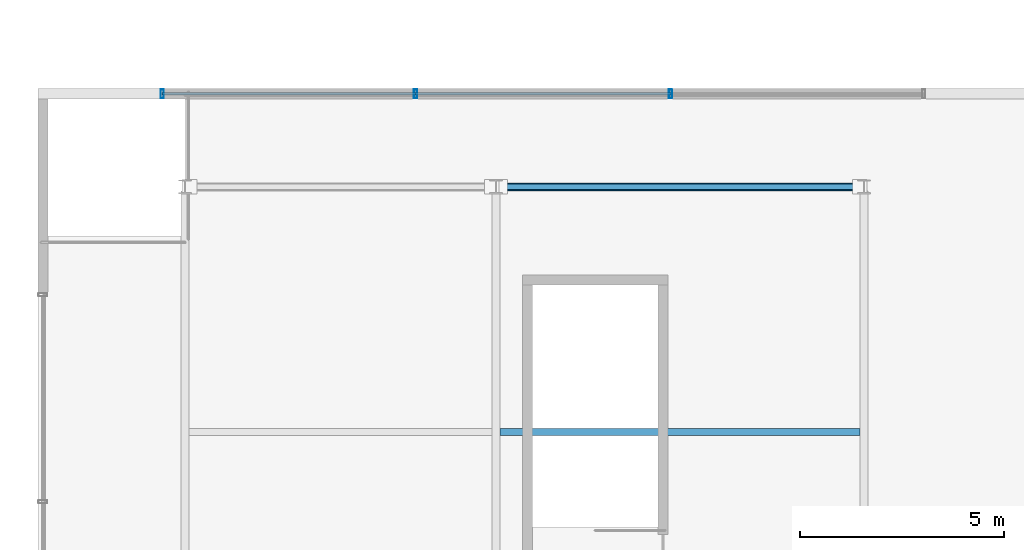
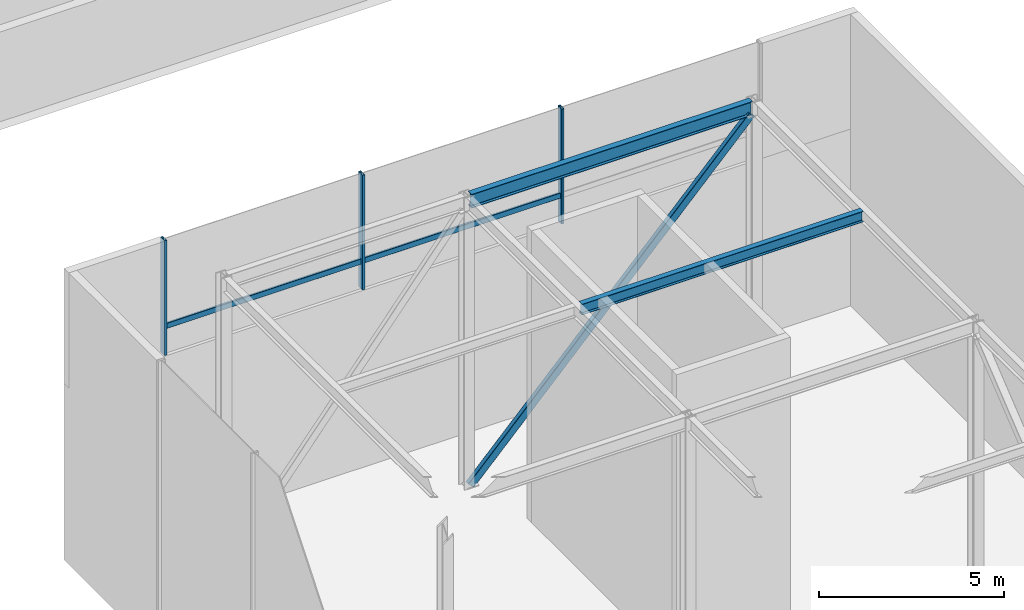
# One storey, part 15 of 42: 6 members, 2 beams, 1 element without a shape of its own.
"""IFC4 building model written with IfcOpenShell, lengths in metres."""

from ifc_helpers import new_model, si_unit, direction, frame, origin, origin_2d, place, context, subcontext, project, spatial, hollow_rectangle, i_section, extrude, material, layer, layer_set, material_profile, profile_set, type_object, element, aggregate, save


model = new_model("IFC4")

# Units and contexts
model_context = context("Model", 3, precision=1e-05, world=origin(), true_north=direction((0.0, 1.0)))
body_context = subcontext(model_context, "Body", "Model", "MODEL_VIEW")
ifc_project = project(units=[si_unit("LENGTHUNIT", "METRE"), si_unit("AREAUNIT", "SQUARE_METRE"), si_unit("VOLUMEUNIT", "CUBIC_METRE"), si_unit("PLANEANGLEUNIT", "RADIAN"), si_unit("MASSUNIT", "GRAM", prefix="KILO")], contexts=[model_context])

# Site, building, storey
site_placement = place(None, origin())
site = spatial("IfcSite", under=ifc_project, at=site_placement, CompositionType="ELEMENT")
building_placement = place(site_placement, origin())
building = spatial("IfcBuilding", under=site, at=building_placement, Name="Korimba Cascade Residences", CompositionType="ELEMENT")
storey_placement = place(building_placement, frame((0.0, 0.0, 207.60009765625)))
storey = spatial("IfcBuildingStorey", under=building, at=storey_placement, Name="L60", CompositionType="ELEMENT", Elevation=207.60009765625)

# Beams
ifc_material_1 = material(Name="Steel S355", Category="steel")
ifc_material_profile_1 = material_profile(ifc_material_1, i_section(OverallWidth=0.172119140625, OverallDepth=0.35791015625, WebThickness=0.008056640625, FlangeThickness=0.012939453125, FilletRadius=0.01025390625, at=origin_2d()), Name="Steel S355")
ifc_profile_set_1 = profile_set([ifc_material_profile_1], Name="Steel S355")
beam_type_1 = type_object("IfcBeamType", Name="BM-STL-UB356", PredefinedType="JOIST", material=ifc_profile_set_1)
beam_1_placement = place(storey_placement, frame((82.199951171875, 24.39990234375, 9.470947265625), z_axis=(1.0, 0.0, 0.0), x_axis=(0.0, 1.0, 0.0)))
element("IfcBeam", 1, at=beam_1_placement, inside=storey, type_object=beam_type_1, Name="L60 Crown Cap Joist W3.2", PredefinedType="JOIST", context=body_context, shape_type="SweptSolid", body=[
    extrude(i_section(OverallWidth=0.172119140625, OverallDepth=0.35791015625, WebThickness=0.008056640625, FlangeThickness=0.012939453125, FilletRadius=0.01025390625, at=origin_2d()), origin(), (0.0, 0.0, 1.0), 8.800048828125),
])
ifc_material_profile_2 = material_profile(ifc_material_1, i_section(OverallWidth=0.19140625, OverallDepth=0.4599609375, WebThickness=0.010009765625, FlangeThickness=0.01611328125, FilletRadius=0.01025390625, at=origin_2d()), Name="Steel S355")
ifc_profile_set_2 = profile_set([ifc_material_profile_2], Name="Steel S355")
beam_type_2 = type_object("IfcBeamType", Name="BM-STL-UB457", PredefinedType="JOIST", material=ifc_profile_set_2)
beam_2_placement = place(storey_placement, frame((82.205078125, 30.39990234375, 9.419921875), z_axis=(1.0, 0.0, 0.0), x_axis=(0.0, 1.0, 0.0)))
element("IfcBeam", 2, at=beam_2_placement, inside=storey, type_object=beam_type_2, Name="L60 Crown Cap Ring Beam W4.2", PredefinedType="JOIST", context=body_context, shape_type="SweptSolid", body=[
    extrude(i_section(OverallWidth=0.19140625, OverallDepth=0.4599609375, WebThickness=0.010009765625, FlangeThickness=0.01611328125, FilletRadius=0.01025390625, at=origin_2d()), origin(), (0.0, 0.0, 1.0), 8.7900390625),
])

# Curtain wall, members
ifc_material_2 = material(Name="Anodised Aluminium Curtain Wall Framing", Category="aluminium")
ifc_layer = layer(ifc_material_2, 0.179931640625)
ifc_layer_set = layer_set([ifc_layer], Name="Anodised Aluminium Curtain Wall Framing")
curtain_wall_type = type_object("IfcCurtainWallType", Name="CW-CRNE-SYS6", PredefinedType="NOTDEFINED", material=ifc_layer_set)
curtain_wall_placement = place(storey_placement, origin())
curtain_wall = element("IfcCurtainWall", 3, at=curtain_wall_placement, inside=storey, type_object=curtain_wall_type, Name="L60 Curtain Wall CW-L60-CRN-W-2", PredefinedType="NOTDEFINED")
ifc_material_3 = material(Name="Anodised Aluminium Mullion", Category="aluminium")
ifc_material_profile_3 = material_profile(ifc_material_3, hollow_rectangle(XDim=0.080078125, YDim=0.219970703125, WallThickness=0.00634765625, InnerFilletRadius=0.00634765625, OuterFilletRadius=0.0126953125, at=origin_2d()), Name="Anodised Aluminium Mullion")
ifc_profile_set_3 = profile_set([ifc_material_profile_3], Name="Anodised Aluminium Mullion")
member_type_1 = type_object("IfcMemberType", Name="CWM-MUL-220", PredefinedType="MULLION", material=ifc_profile_set_3)
member_1_placement = place(storey_placement, frame((73.93994140625, 32.675048828125, 5.849853515625), z_axis=(0.0, 0.0, 1.0), x_axis=(1.0, 0.0, 0.0)))
member_1 = element("IfcMember", 4, at=member_1_placement, type_object=member_type_1, Name="CW-L60-CRN-W-2 Mullion 1", PredefinedType="MULLION", context=body_context, shape_type="SweptSolid", body=[
    extrude(hollow_rectangle(XDim=0.080078125, YDim=0.219970703125, WallThickness=0.00634765625, InnerFilletRadius=0.00634765625, OuterFilletRadius=0.0126953125, at=origin_2d()), origin(), (0.0, 0.0, 1.0), 3.800048828125),
])
member_2_placement = place(storey_placement, frame((80.13330078125, 32.675048828125, 5.849853515625), z_axis=(0.0, 0.0, 1.0), x_axis=(1.0, 0.0, 0.0)))
member_2 = element("IfcMember", 5, at=member_2_placement, type_object=member_type_1, Name="CW-L60-CRN-W-2 Mullion 2", PredefinedType="MULLION", context=body_context, shape_type="SweptSolid", body=[
    extrude(hollow_rectangle(XDim=0.080078125, YDim=0.219970703125, WallThickness=0.00634765625, InnerFilletRadius=0.00634765625, OuterFilletRadius=0.0126953125, at=origin_2d()), origin(), (0.0, 0.0, 1.0), 3.800048828125),
])
member_3_placement = place(storey_placement, frame((86.36669921875, 32.675048828125, 5.849853515625), z_axis=(0.0, 0.0, 1.0), x_axis=(1.0, 0.0, 0.0)))
member_3 = element("IfcMember", 6, at=member_3_placement, type_object=member_type_1, Name="CW-L60-CRN-W-2 Mullion 3", PredefinedType="MULLION", context=body_context, shape_type="SweptSolid", body=[
    extrude(hollow_rectangle(XDim=0.080078125, YDim=0.219970703125, WallThickness=0.00634765625, InnerFilletRadius=0.00634765625, OuterFilletRadius=0.0126953125, at=origin_2d()), origin(), (0.0, 0.0, 1.0), 3.800048828125),
])
ifc_material_4 = material(Name="Anodised Aluminium Transom", Category="aluminium")
ifc_material_profile_4 = material_profile(ifc_material_4, hollow_rectangle(XDim=0.070068359375, YDim=0.179931640625, WallThickness=0.0048828125, InnerFilletRadius=0.0048828125, OuterFilletRadius=0.010009765625, at=origin_2d()), Name="Anodised Aluminium Transom")
ifc_profile_set_4 = profile_set([ifc_material_profile_4], Name="Anodised Aluminium Transom")
member_type_2 = type_object("IfcMemberType", Name="CWM-TRN-150", PredefinedType="USERDEFINED", material=ifc_profile_set_4)
member_4_placement = place(storey_placement, frame((73.93994140625, 32.675048828125, 6.75), z_axis=(1.0, 0.0, 0.0), x_axis=(0.0, 1.0, 0.0)))
member_4 = element("IfcMember", 7, at=member_4_placement, type_object=member_type_2, Name="CW-L60-CRN-W-2 Transom 1", ObjectType="TRANSOM", PredefinedType="USERDEFINED", context=body_context, shape_type="SweptSolid", body=[
    extrude(hollow_rectangle(XDim=0.070068359375, YDim=0.179931640625, WallThickness=0.0048828125, InnerFilletRadius=0.0048828125, OuterFilletRadius=0.010009765625, at=origin_2d()), origin(), (0.0, 0.0, 1.0), 6.193359375),
])
member_5_placement = place(storey_placement, frame((80.13330078125, 32.675048828125, 6.75), z_axis=(1.0, 0.0, 0.0), x_axis=(0.0, 1.0, 0.0)))
member_5 = element("IfcMember", 8, at=member_5_placement, type_object=member_type_2, Name="CW-L60-CRN-W-2 Transom 2", ObjectType="TRANSOM", PredefinedType="USERDEFINED", context=body_context, shape_type="SweptSolid", body=[
    extrude(hollow_rectangle(XDim=0.070068359375, YDim=0.179931640625, WallThickness=0.0048828125, InnerFilletRadius=0.0048828125, OuterFilletRadius=0.010009765625, at=origin_2d()), origin(), (0.0, 0.0, 1.0), 6.2333984375),
])
aggregate(curtain_wall, [member_1, member_2, member_3, member_4, member_5])

# Member
ifc_material_profile_5 = material_profile(ifc_material_1, hollow_rectangle(XDim=0.14990234375, YDim=0.25, WallThickness=0.009033203125, InnerFilletRadius=0.009033203125, OuterFilletRadius=0.01806640625, at=origin_2d()), Name="Steel S355")
ifc_profile_set_5 = profile_set([ifc_material_profile_5], Name="Steel S355")
member_type_3 = type_object("IfcMemberType", Name="MEM-CRN-RHS250", PredefinedType="BRACE", material=ifc_profile_set_5)
member_6_placement = place(storey_placement, frame((82.205078125, 30.39990234375, 0.0), z_axis=(0.690978589463, 0.0, 0.722875223606), x_axis=(0.0, 1.0, 0.0)))
element("IfcMember", 9, at=member_6_placement, inside=storey, type_object=member_type_3, Name="L60 CROWN FRAME Diagonal Brace W4.2", PredefinedType="BRACE", context=body_context, shape_type="SweptSolid", body=[
    extrude(hollow_rectangle(XDim=0.14990234375, YDim=0.25, WallThickness=0.009033203125, InnerFilletRadius=0.009033203125, OuterFilletRadius=0.01806640625, at=origin_2d()), origin(), (0.0, 0.0, 1.0), 12.72119140625),
])

save(model, "model.ifc")
